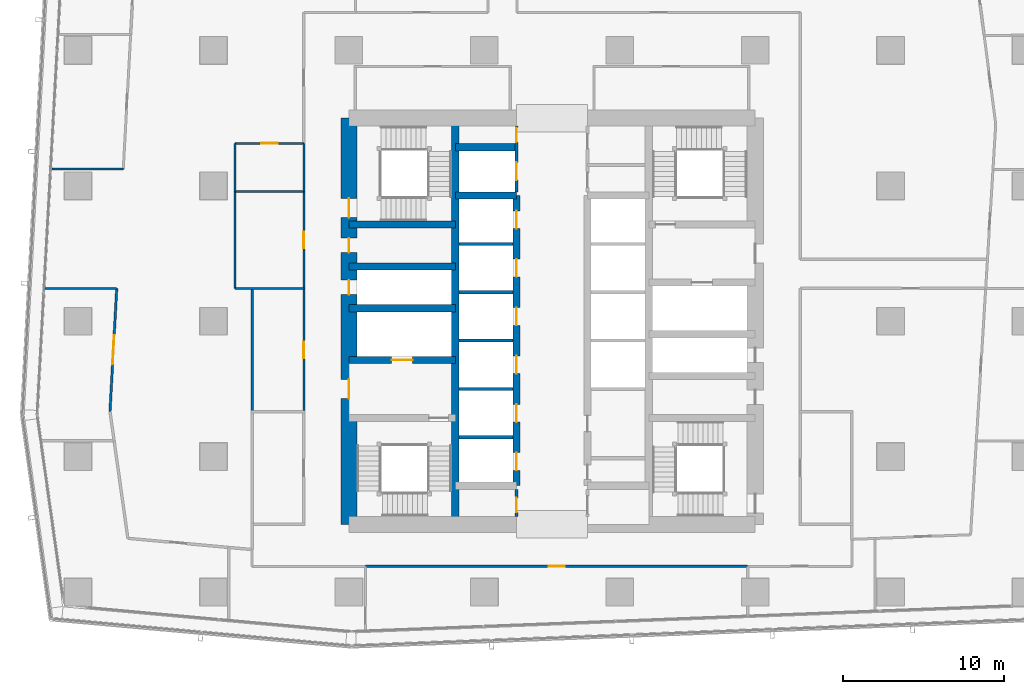
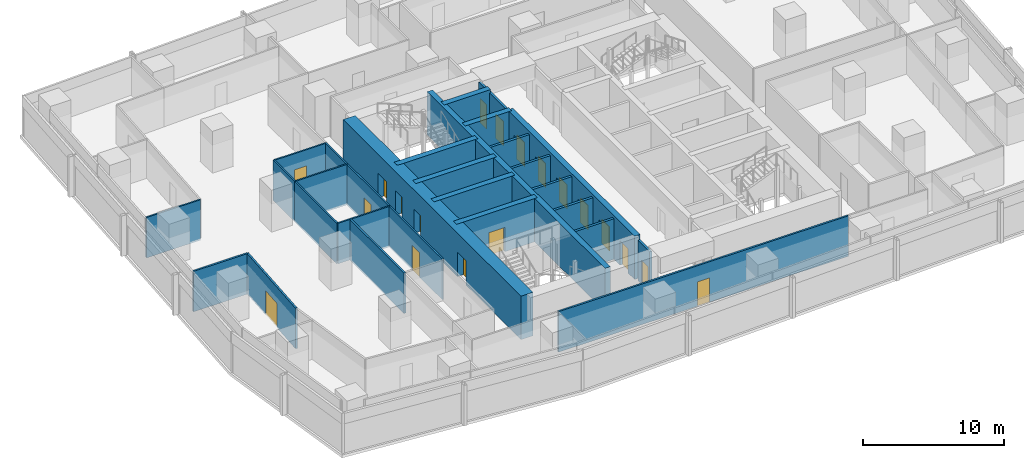
# One storey, part 29 of 40: 29 walls, 19 doors, 19 openings.
"""IFC4 building model written with IfcOpenShell, lengths in metres."""

from ifc_helpers import new_model, si_unit, direction, frame, frame_2d, origin, place, context, subcontext, project, spatial, rectangle, extrude, material, layer, layer_set, type_object, element, fill, save


model = new_model("IFC4")

# Units and contexts
model_context = context("Model", 3, precision=1e-05, world=origin(), true_north=direction((0.0, 1.0)))
body_context = subcontext(model_context, "Body", "Model", "MODEL_VIEW")
ifc_project = project(units=[si_unit("LENGTHUNIT", "METRE"), si_unit("AREAUNIT", "SQUARE_METRE"), si_unit("VOLUMEUNIT", "CUBIC_METRE"), si_unit("PLANEANGLEUNIT", "RADIAN"), si_unit("MASSUNIT", "GRAM", prefix="KILO")], contexts=[model_context])

# Site, building, storey
site_placement = place(None, origin())
site = spatial("IfcSite", under=ifc_project, at=site_placement, CompositionType="ELEMENT")
building_placement = place(site_placement, origin())
building = spatial("IfcBuilding", under=site, at=building_placement, Name="Rekha Terrace Tower", CompositionType="ELEMENT")
storey_placement = place(building_placement, frame((0.0, 0.0, 106.550048828125)))
storey = spatial("IfcBuildingStorey", under=building, at=storey_placement, Name="L26", CompositionType="ELEMENT", Elevation=106.550048828125)

# Wall
ifc_material_1 = material(Name="Concrete M70", Category="concrete")
ifc_layer_1 = layer(ifc_material_1, 0.449951171875)
ifc_layer_set_1 = layer_set([ifc_layer_1], Name="Concrete M70")
wall_type_1 = type_object("IfcWallType", Name="CI2 450 core internal shear wall", PredefinedType="SHEAR", material=ifc_layer_set_1)
wall_1_placement = place(storey_placement, frame((31.800048828125, 21.0, 0.0), z_axis=(0.0, 0.0, 1.0), x_axis=(0.0, 1.0, 0.0)))
element("IfcWall", 1, at=wall_1_placement, inside=storey, type_object=wall_type_1, Name="Core wall X318 L26", PredefinedType="SHEAR", context=body_context, shape_type="SweptSolid", body=[
    extrude(rectangle(XDim=25.199951171875, YDim=0.449951171875, at=frame_2d((12.60009765625, 0.0))), origin(), (0.0, 0.0, 1.0), 3.75),
])

# Wall, openings, doors
wall_2_placement = place(storey_placement, frame((35.60009765625, 23.39990234375, 0.0), z_axis=(0.0, 0.0, 1.0), x_axis=(0.0, 1.0, 0.0)))
wall_2 = element("IfcWall", 2, at=wall_2_placement, inside=storey, type_object=wall_type_1, Name="Core wall X356 L26", PredefinedType="SHEAR", context=body_context, shape_type="SweptSolid", body=[
    extrude(rectangle(XDim=18.0, YDim=0.449951171875, at=frame_2d((9.0, 0.0))), origin(), (0.0, 0.0, 1.0), 3.75),
])
opening_1_placement = place(wall_2_placement, frame((0.949951171875, 0.0, 0.0)))
opening_1 = element("IfcOpeningElement", 3, at=opening_1_placement, cuts=wall_2, Name="Opening LD1", PredefinedType="OPENING", context=body_context, shape_type="SweptSolid", body=[
    extrude(rectangle(XDim=1.10009765625, YDim=2.10009765625, at=frame_2d((0.550048828125, 1.050048828125))), frame((0.0, 0.23486328125, 0.0), z_axis=(0.0, -1.0, 0.0), x_axis=(1.0, 0.0, 0.0)), (0.0, 0.0, 1.0), 0.469970703125),
])
opening_2_placement = place(wall_2_placement, frame((3.949951171875, 0.0, 0.0)))
opening_2 = element("IfcOpeningElement", 4, at=opening_2_placement, cuts=wall_2, Name="Opening LD1", PredefinedType="OPENING", context=body_context, shape_type="SweptSolid", body=[
    extrude(rectangle(XDim=1.10009765625, YDim=2.10009765625, at=frame_2d((0.550048828125, 1.050048828125))), frame((0.0, 0.23486328125, 0.0), z_axis=(0.0, -1.0, 0.0), x_axis=(1.0, 0.0, 0.0)), (0.0, 0.0, 1.0), 0.469970703125),
])
opening_3_placement = place(wall_2_placement, frame((6.949951171875, 0.0, 0.0)))
opening_3 = element("IfcOpeningElement", 5, at=opening_3_placement, cuts=wall_2, Name="Opening LD1", PredefinedType="OPENING", context=body_context, shape_type="SweptSolid", body=[
    extrude(rectangle(XDim=1.10009765625, YDim=2.10009765625, at=frame_2d((0.550048828125, 1.050048828125))), frame((0.0, 0.23486328125, 0.0), z_axis=(0.0, -1.0, 0.0), x_axis=(1.0, 0.0, 0.0)), (0.0, 0.0, 1.0), 0.469970703125),
])
opening_4_placement = place(wall_2_placement, frame((9.949951171875, 0.0, 0.0)))
opening_4 = element("IfcOpeningElement", 6, at=opening_4_placement, cuts=wall_2, Name="Opening LD1", PredefinedType="OPENING", context=body_context, shape_type="SweptSolid", body=[
    extrude(rectangle(XDim=1.10009765625, YDim=2.10009765625, at=frame_2d((0.550048828125, 1.050048828125))), frame((0.0, 0.23486328125, 0.0), z_axis=(0.0, -1.0, 0.0), x_axis=(1.0, 0.0, 0.0)), (0.0, 0.0, 1.0), 0.469970703125),
])
opening_5_placement = place(wall_2_placement, frame((12.949951171875, 0.0, 0.0)))
opening_5 = element("IfcOpeningElement", 7, at=opening_5_placement, cuts=wall_2, Name="Opening LD1", PredefinedType="OPENING", context=body_context, shape_type="SweptSolid", body=[
    extrude(rectangle(XDim=1.10009765625, YDim=2.10009765625, at=frame_2d((0.550048828125, 1.050048828125))), frame((0.0, 0.23486328125, 0.0), z_axis=(0.0, -1.0, 0.0), x_axis=(1.0, 0.0, 0.0)), (0.0, 0.0, 1.0), 0.469970703125),
])
opening_6_placement = place(wall_2_placement, frame((15.949951171875, 0.0, 0.0)))
opening_6 = element("IfcOpeningElement", 8, at=opening_6_placement, cuts=wall_2, Name="Opening LD1", PredefinedType="OPENING", context=body_context, shape_type="SweptSolid", body=[
    extrude(rectangle(XDim=1.10009765625, YDim=2.10009765625, at=frame_2d((0.550048828125, 1.050048828125))), frame((0.0, 0.23486328125, 0.0), z_axis=(0.0, -1.0, 0.0), x_axis=(1.0, 0.0, 0.0)), (0.0, 0.0, 1.0), 0.469970703125),
])
ifc_material_2 = material(Name="Stainless steel sliding landing door", Category="steel")
door_type_1 = type_object("IfcDoorType", Name="LD1 1100x2100 lift landing door", OperationType="SLIDING_TO_LEFT", PredefinedType="USERDEFINED", material=ifc_material_2)
door_1_placement = place(opening_1_placement, origin())
door_1 = element("IfcDoor", 9, at=door_1_placement, inside=storey, type_object=door_type_1, Name="Lift B1 landing door L26", ObjectType="LIFT LANDING DOOR", OperationType="SLIDING_TO_LEFT", OverallHeight=2.10009765625, OverallWidth=1.10009765625, PredefinedType="USERDEFINED", context=body_context, shape_type="SweptSolid", body=[
    extrude(rectangle(XDim=1.10009765625, YDim=2.10009765625, at=frame_2d((0.550048828125, 1.050048828125))), frame((0.0, 0.02490234375, 0.0), z_axis=(0.0, -1.0, 0.0), x_axis=(1.0, 0.0, 0.0)), (0.0, 0.0, 1.0), 0.050048828125),
])
fill(opening_1, door_1)
door_2_placement = place(opening_2_placement, origin())
door_2 = element("IfcDoor", 10, at=door_2_placement, inside=storey, type_object=door_type_1, Name="Lift B2 landing door L26", ObjectType="LIFT LANDING DOOR", OperationType="SLIDING_TO_LEFT", OverallHeight=2.10009765625, OverallWidth=1.10009765625, PredefinedType="USERDEFINED", context=body_context, shape_type="SweptSolid", body=[
    extrude(rectangle(XDim=1.10009765625, YDim=2.10009765625, at=frame_2d((0.550048828125, 1.050048828125))), frame((0.0, 0.02490234375, 0.0), z_axis=(0.0, -1.0, 0.0), x_axis=(1.0, 0.0, 0.0)), (0.0, 0.0, 1.0), 0.050048828125),
])
fill(opening_2, door_2)
door_3_placement = place(opening_3_placement, origin())
door_3 = element("IfcDoor", 11, at=door_3_placement, inside=storey, type_object=door_type_1, Name="Lift B3 landing door L26", ObjectType="LIFT LANDING DOOR", OperationType="SLIDING_TO_LEFT", OverallHeight=2.10009765625, OverallWidth=1.10009765625, PredefinedType="USERDEFINED", context=body_context, shape_type="SweptSolid", body=[
    extrude(rectangle(XDim=1.10009765625, YDim=2.10009765625, at=frame_2d((0.550048828125, 1.050048828125))), frame((0.0, 0.02490234375, 0.0), z_axis=(0.0, -1.0, 0.0), x_axis=(1.0, 0.0, 0.0)), (0.0, 0.0, 1.0), 0.050048828125),
])
fill(opening_3, door_3)
door_4_placement = place(opening_4_placement, origin())
door_4 = element("IfcDoor", 12, at=door_4_placement, inside=storey, type_object=door_type_1, Name="Lift B4 landing door L26", ObjectType="LIFT LANDING DOOR", OperationType="SLIDING_TO_LEFT", OverallHeight=2.10009765625, OverallWidth=1.10009765625, PredefinedType="USERDEFINED", context=body_context, shape_type="SweptSolid", body=[
    extrude(rectangle(XDim=1.10009765625, YDim=2.10009765625, at=frame_2d((0.550048828125, 1.050048828125))), frame((0.0, 0.02490234375, 0.0), z_axis=(0.0, -1.0, 0.0), x_axis=(1.0, 0.0, 0.0)), (0.0, 0.0, 1.0), 0.050048828125),
])
fill(opening_4, door_4)
door_5_placement = place(opening_5_placement, origin())
door_5 = element("IfcDoor", 13, at=door_5_placement, inside=storey, type_object=door_type_1, Name="Lift B5 landing door L26", ObjectType="LIFT LANDING DOOR", OperationType="SLIDING_TO_LEFT", OverallHeight=2.10009765625, OverallWidth=1.10009765625, PredefinedType="USERDEFINED", context=body_context, shape_type="SweptSolid", body=[
    extrude(rectangle(XDim=1.10009765625, YDim=2.10009765625, at=frame_2d((0.550048828125, 1.050048828125))), frame((0.0, 0.02490234375, 0.0), z_axis=(0.0, -1.0, 0.0), x_axis=(1.0, 0.0, 0.0)), (0.0, 0.0, 1.0), 0.050048828125),
])
fill(opening_5, door_5)
door_6_placement = place(opening_6_placement, origin())
door_6 = element("IfcDoor", 14, at=door_6_placement, inside=storey, type_object=door_type_1, Name="Lift B6 landing door L26", ObjectType="LIFT LANDING DOOR", OperationType="SLIDING_TO_LEFT", OverallHeight=2.10009765625, OverallWidth=1.10009765625, PredefinedType="USERDEFINED", context=body_context, shape_type="SweptSolid", body=[
    extrude(rectangle(XDim=1.10009765625, YDim=2.10009765625, at=frame_2d((0.550048828125, 1.050048828125))), frame((0.0, 0.02490234375, 0.0), z_axis=(0.0, -1.0, 0.0), x_axis=(1.0, 0.0, 0.0)), (0.0, 0.0, 1.0), 0.050048828125),
])
fill(opening_6, door_6)

# Walls
for number, where, z_axis, x_axis, name in (
    (15, (31.800048828125, 41.39990234375, 0.0), (0.0, 0.0, 1.0), (1.0, 0.0, 0.0), "Core wall Y414W L26"),
    (16, (31.800048828125, 44.39990234375, 0.0), (0.0, 0.0, 1.0), (1.0, 0.0, 0.0), "Core wall Y444W L26"),
):
    element("IfcWall", number, at=place(storey_placement, frame(where, z_axis=z_axis, x_axis=x_axis)), inside=storey, type_object=wall_type_1, Name=name, PredefinedType="SHEAR", context=body_context, shape_type="SweptSolid", body=[
        extrude(rectangle(XDim=3.800048828125, YDim=0.449951171875, at=frame_2d((1.89990234375, 0.0))), origin(), (0.0, 0.0, 1.0), 3.75),
    ])

# Wall, opening, door
wall_3_placement = place(storey_placement, frame((25.199951171875, 31.199951171875, 0.0), z_axis=(0.0, 0.0, 1.0), x_axis=(1.0, 0.0, 0.0)))
wall_3 = element("IfcWall", 17, at=wall_3_placement, inside=storey, type_object=wall_type_1, Name="Core wall Y312W L26", PredefinedType="SHEAR", context=body_context, shape_type="SweptSolid", body=[
    extrude(rectangle(XDim=6.60009765625, YDim=0.449951171875, at=frame_2d((3.300048828125, 0.0))), origin(), (0.0, 0.0, 1.0), 3.75),
])
opening_7_placement = place(wall_3_placement, frame((2.64990234375, 0.0, 0.0)))
opening_7 = element("IfcOpeningElement", 18, at=opening_7_placement, cuts=wall_3, Name="Opening LD2", PredefinedType="OPENING", context=body_context, shape_type="SweptSolid", body=[
    extrude(rectangle(XDim=1.300048828125, YDim=2.10009765625, at=frame_2d((0.64990234375, 1.050048828125))), frame((0.0, 0.23486328125, 0.0), z_axis=(0.0, -1.0, 0.0), x_axis=(1.0, 0.0, 0.0)), (0.0, 0.0, 1.0), 0.469970703125),
])
door_type_2 = type_object("IfcDoorType", Name="LD2 1300x2100 fire lift landing door", OperationType="SLIDING_TO_LEFT", PredefinedType="USERDEFINED", material=ifc_material_2)
door_7_placement = place(opening_7_placement, origin())
door_7 = element("IfcDoor", 19, at=door_7_placement, inside=storey, type_object=door_type_2, Name="Lift FL1 landing door L26", ObjectType="LIFT LANDING DOOR", OperationType="SLIDING_TO_LEFT", OverallHeight=2.10009765625, OverallWidth=1.300048828125, PredefinedType="USERDEFINED", context=body_context, shape_type="SweptSolid", body=[
    extrude(rectangle(XDim=1.300048828125, YDim=2.10009765625, at=frame_2d((0.64990234375, 1.050048828125))), frame((0.0, 0.02490234375, 0.0), z_axis=(0.0, -1.0, 0.0), x_axis=(1.0, 0.0, 0.0)), (0.0, 0.0, 1.0), 0.050048828125),
])
fill(opening_7, door_7)

# Walls
for number, where, z_axis, x_axis, name in (
    (20, (25.199951171875, 34.39990234375, 0.0), (0.0, 0.0, 1.0), (1.0, 0.0, 0.0), "Core wall Y344W L26"),
    (21, (25.199951171875, 37.0, 0.0), (0.0, 0.0, 1.0), (1.0, 0.0, 0.0), "Core wall Y370W L26"),
    (22, (25.199951171875, 39.60009765625, 0.0), (0.0, 0.0, 1.0), (1.0, 0.0, 0.0), "Core wall Y396W L26"),
):
    element("IfcWall", number, at=place(storey_placement, frame(where, z_axis=z_axis, x_axis=x_axis)), inside=storey, type_object=wall_type_1, Name=name, PredefinedType="SHEAR", context=body_context, shape_type="SweptSolid", body=[
        extrude(rectangle(XDim=6.60009765625, YDim=0.449951171875, at=frame_2d((3.300048828125, 0.0))), origin(), (0.0, 0.0, 1.0), 3.75),
    ])

# Wall, openings, doors
ifc_layer_2 = layer(ifc_material_1, 1.0)
ifc_layer_set_2 = layer_set([ifc_layer_2], Name="Concrete M70")
wall_type_2 = type_object("IfcWallType", Name="SW2 1000 core outer shear wall", PredefinedType="SHEAR", material=ifc_layer_set_2)
wall_4_placement = place(storey_placement, frame((25.199951171875, 21.0, 0.0), z_axis=(0.0, 0.0, 1.0), x_axis=(0.0, 1.0, 0.0)))
wall_4 = element("IfcWall", 23, at=wall_4_placement, inside=storey, type_object=wall_type_2, Name="Core wall W L26", PredefinedType="SHEAR", context=body_context, shape_type="SweptSolid", body=[
    extrude(rectangle(XDim=25.199951171875, YDim=1.0, at=frame_2d((12.60009765625, 0.0))), origin(), (0.0, 0.0, 1.0), 3.75),
])
opening_8_placement = place(wall_4_placement, frame((7.800048828125, 0.0, 0.0)))
opening_8 = element("IfcOpeningElement", 24, at=opening_8_placement, cuts=wall_4, Name="Opening D2", PredefinedType="OPENING", context=body_context, shape_type="SweptSolid", body=[
    extrude(rectangle(XDim=1.199951171875, YDim=2.10009765625, at=frame_2d((0.60009765625, 1.050048828125))), frame((0.0, 0.510009765625, 0.0), z_axis=(0.0, -1.0, 0.0), x_axis=(1.0, 0.0, 0.0)), (0.0, 0.0, 1.0), 1.02001953125),
])
opening_9_placement = place(wall_4_placement, frame((14.25, 0.0, 0.0)))
opening_9 = element("IfcOpeningElement", 25, at=opening_9_placement, cuts=wall_4, Name="Opening D5", PredefinedType="OPENING", context=body_context, shape_type="SweptSolid", body=[
    extrude(rectangle(XDim=0.89990234375, YDim=2.10009765625, at=frame_2d((0.449951171875, 1.050048828125))), frame((0.0, 0.510009765625, 0.0), z_axis=(0.0, -1.0, 0.0), x_axis=(1.0, 0.0, 0.0)), (0.0, 0.0, 1.0), 1.02001953125),
])
opening_10_placement = place(wall_4_placement, frame((16.85009765625, 0.0, 0.0)))
opening_10 = element("IfcOpeningElement", 26, at=opening_10_placement, cuts=wall_4, Name="Opening D5", PredefinedType="OPENING", context=body_context, shape_type="SweptSolid", body=[
    extrude(rectangle(XDim=0.89990234375, YDim=2.10009765625, at=frame_2d((0.449951171875, 1.050048828125))), frame((0.0, 0.510009765625, 0.0), z_axis=(0.0, -1.0, 0.0), x_axis=(1.0, 0.0, 0.0)), (0.0, 0.0, 1.0), 1.02001953125),
])
opening_11_placement = place(wall_4_placement, frame((19.02490234375, 0.0, 0.0)))
opening_11 = element("IfcOpeningElement", 27, at=opening_11_placement, cuts=wall_4, Name="Opening D1", PredefinedType="OPENING", context=body_context, shape_type="SweptSolid", body=[
    extrude(rectangle(XDim=1.199951171875, YDim=2.10009765625, at=frame_2d((0.60009765625, 1.050048828125))), frame((0.0, 0.510009765625, 0.0), z_axis=(0.0, -1.0, 0.0), x_axis=(1.0, 0.0, 0.0)), (0.0, 0.0, 1.0), 1.02001953125),
])
ifc_material_3 = material(Name="Steel fire door", Category="steel")
door_type_3 = type_object("IfcDoorType", Name="D1 1200x2100 stair fire door", OperationType="SINGLE_SWING_RIGHT", PredefinedType="DOOR", material=ifc_material_3)
door_8_placement = place(opening_11_placement, origin())
door_8 = element("IfcDoor", 28, at=door_8_placement, inside=storey, type_object=door_type_3, Name="Stair ST4 door L26", OperationType="SINGLE_SWING_RIGHT", OverallHeight=2.10009765625, OverallWidth=1.199951171875, PredefinedType="DOOR", context=body_context, shape_type="SweptSolid", body=[
    extrude(rectangle(XDim=1.199951171875, YDim=2.10009765625, at=frame_2d((0.60009765625, 1.050048828125))), frame((0.0, 0.02490234375, 0.0), z_axis=(0.0, -1.0, 0.0), x_axis=(1.0, 0.0, 0.0)), (0.0, 0.0, 1.0), 0.050048828125),
])
fill(opening_11, door_8)
door_type_4 = type_object("IfcDoorType", Name="D2 1200x2100 firefighting lobby door", OperationType="SINGLE_SWING_LEFT", PredefinedType="DOOR", material=ifc_material_3)
door_9_placement = place(opening_8_placement, origin())
door_9 = element("IfcDoor", 29, at=door_9_placement, inside=storey, type_object=door_type_4, Name="Door flb1 L26", OperationType="SINGLE_SWING_LEFT", OverallHeight=2.10009765625, OverallWidth=1.199951171875, PredefinedType="DOOR", context=body_context, shape_type="SweptSolid", body=[
    extrude(rectangle(XDim=1.199951171875, YDim=2.10009765625, at=frame_2d((0.60009765625, 1.050048828125))), frame((0.0, 0.02490234375, 0.0), z_axis=(0.0, -1.0, 0.0), x_axis=(1.0, 0.0, 0.0)), (0.0, 0.0, 1.0), 0.050048828125),
])
fill(opening_8, door_9)
door_type_5 = type_object("IfcDoorType", Name="D5 900x2100 riser access door", OperationType="SINGLE_SWING_LEFT", PredefinedType="DOOR", material=ifc_material_3)
door_10_placement = place(opening_9_placement, origin())
door_10 = element("IfcDoor", 30, at=door_10_placement, inside=storey, type_object=door_type_5, Name="Door rs1 L26", OperationType="SINGLE_SWING_LEFT", OverallHeight=2.10009765625, OverallWidth=0.89990234375, PredefinedType="DOOR", context=body_context, shape_type="SweptSolid", body=[
    extrude(rectangle(XDim=0.89990234375, YDim=2.10009765625, at=frame_2d((0.449951171875, 1.050048828125))), frame((0.0, 0.02490234375, 0.0), z_axis=(0.0, -1.0, 0.0), x_axis=(1.0, 0.0, 0.0)), (0.0, 0.0, 1.0), 0.050048828125),
])
fill(opening_9, door_10)
door_11_placement = place(opening_10_placement, origin())
door_11 = element("IfcDoor", 31, at=door_11_placement, inside=storey, type_object=door_type_5, Name="Door elw L26", OperationType="SINGLE_SWING_LEFT", OverallHeight=2.10009765625, OverallWidth=0.89990234375, PredefinedType="DOOR", context=body_context, shape_type="SweptSolid", body=[
    extrude(rectangle(XDim=0.89990234375, YDim=2.10009765625, at=frame_2d((0.449951171875, 1.050048828125))), frame((0.0, 0.02490234375, 0.0), z_axis=(0.0, -1.0, 0.0), x_axis=(1.0, 0.0, 0.0)), (0.0, 0.0, 1.0), 0.050048828125),
])
fill(opening_10, door_11)

# Wall
ifc_material_4 = material(Name="Concrete block masonry, 1 hour", Category="masonry")
ifc_layer_3 = layer(ifc_material_4, 0.14990234375)
ifc_layer_set_3 = layer_set([ifc_layer_3], Name="Concrete block masonry, 1 hour")
wall_type_3 = type_object("IfcWallType", Name="WP2 150 tenancy partition", PredefinedType="PARTITIONING", material=ifc_layer_set_3)
wall_5_placement = place(storey_placement, frame((19.199951171875, 35.574951171875, 0.0), z_axis=(0.0, 0.0, 1.0), x_axis=(0.0, -1.0, 0.0)))
element("IfcWall", 32, at=wall_5_placement, inside=storey, type_object=wall_type_3, Name="Partition L26-O2", PredefinedType="PARTITIONING", context=body_context, shape_type="SweptSolid", body=[
    extrude(rectangle(XDim=7.64990234375, YDim=0.14990234375, at=frame_2d((3.824951171875, 0.0))), origin(), (0.0, 0.0, 1.0), 3.5),
])

# Wall, opening, door
wall_6_placement = place(storey_placement, frame((10.381103515625, 28.006103515625, 0.0), z_axis=(0.0, 0.0, 1.0), x_axis=(0.054839895522, 0.998495160659, 0.0)))
wall_6 = element("IfcWall", 33, at=wall_6_placement, inside=storey, type_object=wall_type_3, Name="Partition L26-O2", PredefinedType="PARTITIONING", context=body_context, shape_type="SweptSolid", body=[
    extrude(rectangle(XDim=7.639404296875, YDim=0.14990234375, at=frame_2d((3.81982421875, 0.0))), origin(), (0.0, 0.0, 1.0), 3.5),
])
opening_12_placement = place(wall_6_placement, frame((2.919921875, 0.0, 0.0)))
opening_12 = element("IfcOpeningElement", 34, at=opening_12_placement, cuts=wall_6, Name="Opening D8", PredefinedType="OPENING", context=body_context, shape_type="SweptSolid", body=[
    extrude(rectangle(XDim=1.800048828125, YDim=2.10009765625, at=frame_2d((0.89990234375, 1.050048828125))), frame((0.0, 0.0849609375, 0.0), z_axis=(0.0, -1.0, 0.0), x_axis=(1.0, 0.0, 0.0)), (0.0, 0.0, 1.0), 0.169921875),
])
ifc_material_5 = material(Name="Timber fire door", Category="wood")
door_type_6 = type_object("IfcDoorType", Name="D8 1800x2100 double leaf door", OperationType="DOUBLE_DOOR_SINGLE_SWING", PredefinedType="DOOR", material=ifc_material_5)
door_12_placement = place(opening_12_placement, origin())
door_12 = element("IfcDoor", 35, at=door_12_placement, inside=storey, type_object=door_type_6, Name="Door meeting room L26", OperationType="DOUBLE_DOOR_SINGLE_SWING", OverallHeight=2.10009765625, OverallWidth=1.800048828125, PredefinedType="DOOR", context=body_context, shape_type="SweptSolid", body=[
    extrude(rectangle(XDim=1.800048828125, YDim=2.10009765625, at=frame_2d((0.89990234375, 1.050048828125))), frame((0.0, 0.02490234375, 0.0), z_axis=(0.0, -1.0, 0.0), x_axis=(1.0, 0.0, 0.0)), (0.0, 0.0, 1.0), 0.050048828125),
])
fill(opening_12, door_12)

# Wall
wall_7_placement = place(storey_placement, frame((10.800048828125, 35.634033203125, 0.0), z_axis=(0.0, 0.0, 1.0), x_axis=(-1.0, 0.0, 0.0)))
element("IfcWall", 36, at=wall_7_placement, inside=storey, type_object=wall_type_3, Name="Partition L26-O2", PredefinedType="PARTITIONING", context=body_context, shape_type="SweptSolid", body=[
    extrude(rectangle(XDim=4.45703125, YDim=0.14990234375, at=frame_2d((2.228515625, 0.0))), origin(), (0.0, 0.0, 1.0), 3.5),
])

# Wall, opening, door
wall_8_placement = place(storey_placement, frame((26.23388671875, 18.39990234375, 0.0), z_axis=(0.0, 0.0, 1.0), x_axis=(1.0, 0.0, 0.0)))
wall_8 = element("IfcWall", 37, at=wall_8_placement, inside=storey, type_object=wall_type_3, Name="Partition L26-O3", PredefinedType="PARTITIONING", context=body_context, shape_type="SweptSolid", body=[
    extrude(rectangle(XDim=23.7021484375, YDim=0.14990234375, at=frame_2d((11.85107421875, 0.0))), origin(), (0.0, 0.0, 1.0), 3.5),
])
opening_13_placement = place(wall_8_placement, frame((11.35107421875, 0.0, 0.0)))
opening_13 = element("IfcOpeningElement", 38, at=opening_13_placement, cuts=wall_8, Name="Opening D9", PredefinedType="OPENING", context=body_context, shape_type="SweptSolid", body=[
    extrude(rectangle(XDim=1.0, YDim=2.10009765625, at=frame_2d((0.5, 1.050048828125))), frame((0.0, 0.0849609375, 0.0), z_axis=(0.0, -1.0, 0.0), x_axis=(1.0, 0.0, 0.0)), (0.0, 0.0, 1.0), 0.169921875),
])
door_type_7 = type_object("IfcDoorType", Name="D9 1000x2100 office door", OperationType="SINGLE_SWING_LEFT", PredefinedType="DOOR", material=ifc_material_5)
door_13_placement = place(opening_13_placement, origin())
door_13 = element("IfcDoor", 39, at=door_13_placement, inside=storey, type_object=door_type_7, Name="Door open-plan office L26", OperationType="SINGLE_SWING_LEFT", OverallHeight=2.10009765625, OverallWidth=1.0, PredefinedType="DOOR", context=body_context, shape_type="SweptSolid", body=[
    extrude(rectangle(XDim=1.0, YDim=2.10009765625, at=frame_2d((0.5, 1.050048828125))), frame((0.0, 0.02490234375, 0.0), z_axis=(0.0, -1.0, 0.0), x_axis=(1.0, 0.0, 0.0)), (0.0, 0.0, 1.0), 0.050048828125),
])
fill(opening_13, door_13)

# Walls
ifc_material_6 = material(Name="Two layers of fire-rated gypsum board each side on steel studs, acoustic quilt, 1 hour", Category="steel")
ifc_layer_4 = layer(ifc_material_6, 0.125)
ifc_layer_set_4 = layer_set([ifc_layer_4], Name="Two layers of fire-rated gypsum board each side on steel studs, acoustic quilt, 1 hour")
wall_type_4 = type_object("IfcWallType", Name="WP3 125 office partition", PredefinedType="PARTITIONING", material=ifc_layer_set_4)
wall_9_placement = place(storey_placement, frame((11.2060546875, 43.0458984375, 0.0), z_axis=(0.0, 0.0, 1.0), x_axis=(-1.0, 0.0, 0.0)))
element("IfcWall", 40, at=wall_9_placement, inside=storey, type_object=wall_type_4, Name="Partition L26-15", PredefinedType="PARTITIONING", context=body_context, shape_type="SweptSolid", body=[
    extrude(rectangle(XDim=4.427001953125, YDim=0.125, at=frame_2d((2.21337890625, 0.0))), origin(), (0.0, 0.0, 1.0), 3.5),
])
wall_10_placement = place(storey_placement, frame((18.14990234375, 35.637939453125, 0.0), z_axis=(0.0, 0.0, 1.0), x_axis=(0.0, 1.0, 0.0)))
element("IfcWall", 41, at=wall_10_placement, inside=storey, type_object=wall_type_4, Name="Partition L26-16", PredefinedType="PARTITIONING", context=body_context, shape_type="SweptSolid", body=[
    extrude(rectangle(XDim=5.9990234375, YDim=0.125, at=frame_2d((2.99951171875, 0.0))), origin(), (0.0, 0.0, 1.0), 3.5),
])
wall_11_placement = place(storey_placement, frame((18.14990234375, 41.636962890625, 0.0), z_axis=(0.0, 0.0, 1.0), x_axis=(1.0, 0.0, 0.0)))
element("IfcWall", 42, at=wall_11_placement, inside=storey, type_object=wall_type_4, Name="Partition L26-16", PredefinedType="PARTITIONING", context=body_context, shape_type="SweptSolid", body=[
    extrude(rectangle(XDim=4.25, YDim=0.125, at=frame_2d((2.125, 0.0))), origin(), (0.0, 0.0, 1.0), 3.5),
])

# Wall, opening, door
wall_12_placement = place(storey_placement, frame((22.39990234375, 41.636962890625, 0.0), z_axis=(0.0, 0.0, 1.0), x_axis=(0.0, -1.0, 0.0)))
wall_12 = element("IfcWall", 43, at=wall_12_placement, inside=storey, type_object=wall_type_4, Name="Partition L26-16", PredefinedType="PARTITIONING", context=body_context, shape_type="SweptSolid", body=[
    extrude(rectangle(XDim=5.9990234375, YDim=0.125, at=frame_2d((2.99951171875, 0.0))), origin(), (0.0, 0.0, 1.0), 3.5),
])
opening_14_placement = place(wall_12_placement, frame((2.4990234375, 0.0, 0.0)))
opening_14 = element("IfcOpeningElement", 44, at=opening_14_placement, cuts=wall_12, Name="Opening D9", PredefinedType="OPENING", context=body_context, shape_type="SweptSolid", body=[
    extrude(rectangle(XDim=1.0, YDim=2.10009765625, at=frame_2d((0.5, 1.050048828125))), frame((0.0, 0.072509765625, 0.0), z_axis=(0.0, -1.0, 0.0), x_axis=(1.0, 0.0, 0.0)), (0.0, 0.0, 1.0), 0.14501953125),
])
door_14_placement = place(opening_14_placement, origin())
door_14 = element("IfcDoor", 45, at=door_14_placement, inside=storey, type_object=door_type_7, Name="Door reception L26", OperationType="SINGLE_SWING_LEFT", OverallHeight=2.10009765625, OverallWidth=1.0, PredefinedType="DOOR", context=body_context, shape_type="SweptSolid", body=[
    extrude(rectangle(XDim=1.0, YDim=2.10009765625, at=frame_2d((0.5, 1.050048828125))), frame((0.0, 0.02490234375, 0.0), z_axis=(0.0, -1.0, 0.0), x_axis=(1.0, 0.0, 0.0)), (0.0, 0.0, 1.0), 0.050048828125),
])
fill(opening_14, door_14)

# Walls
wall_13_placement = place(storey_placement, frame((22.39990234375, 35.637939453125, 0.0), z_axis=(0.0, 0.0, 1.0), x_axis=(-1.0, 0.0, 0.0)))
element("IfcWall", 46, at=wall_13_placement, inside=storey, type_object=wall_type_4, Name="Partition L26-16", PredefinedType="PARTITIONING", context=body_context, shape_type="SweptSolid", body=[
    extrude(rectangle(XDim=4.25, YDim=0.125, at=frame_2d((2.125, 0.0))), origin(), (0.0, 0.0, 1.0), 3.5),
])
wall_14_placement = place(storey_placement, frame((18.14990234375, 41.636962890625, 0.0), z_axis=(0.0, 0.0, 1.0), x_axis=(0.0, 1.0, 0.0)))
element("IfcWall", 47, at=wall_14_placement, inside=storey, type_object=wall_type_4, Name="Partition L26-17", PredefinedType="PARTITIONING", context=body_context, shape_type="SweptSolid", body=[
    extrude(rectangle(XDim=3.0, YDim=0.125, at=frame_2d((1.5, 0.0))), origin(), (0.0, 0.0, 1.0), 3.5),
])

# Wall, opening, door
wall_15_placement = place(storey_placement, frame((18.14990234375, 44.636962890625, 0.0), z_axis=(0.0, 0.0, 1.0), x_axis=(1.0, 0.0, 0.0)))
wall_15 = element("IfcWall", 48, at=wall_15_placement, inside=storey, type_object=wall_type_4, Name="Partition L26-17", PredefinedType="PARTITIONING", context=body_context, shape_type="SweptSolid", body=[
    extrude(rectangle(XDim=4.25, YDim=0.125, at=frame_2d((2.125, 0.0))), origin(), (0.0, 0.0, 1.0), 3.5),
])
opening_15_placement = place(wall_15_placement, frame((1.625, 0.0, 0.0)))
opening_15 = element("IfcOpeningElement", 49, at=opening_15_placement, cuts=wall_15, Name="Opening D9", PredefinedType="OPENING", context=body_context, shape_type="SweptSolid", body=[
    extrude(rectangle(XDim=1.0, YDim=2.10009765625, at=frame_2d((0.5, 1.050048828125))), frame((0.0, 0.072509765625, 0.0), z_axis=(0.0, -1.0, 0.0), x_axis=(1.0, 0.0, 0.0)), (0.0, 0.0, 1.0), 0.14501953125),
])
door_15_placement = place(opening_15_placement, origin())
door_15 = element("IfcDoor", 50, at=door_15_placement, inside=storey, type_object=door_type_7, Name="Door print room L26", OperationType="SINGLE_SWING_LEFT", OverallHeight=2.10009765625, OverallWidth=1.0, PredefinedType="DOOR", context=body_context, shape_type="SweptSolid", body=[
    extrude(rectangle(XDim=1.0, YDim=2.10009765625, at=frame_2d((0.5, 1.050048828125))), frame((0.0, 0.02490234375, 0.0), z_axis=(0.0, -1.0, 0.0), x_axis=(1.0, 0.0, 0.0)), (0.0, 0.0, 1.0), 0.050048828125),
])
fill(opening_15, door_15)

# Wall
wall_16_placement = place(storey_placement, frame((22.39990234375, 44.636962890625, 0.0), z_axis=(0.0, 0.0, 1.0), x_axis=(0.0, -1.0, 0.0)))
element("IfcWall", 51, at=wall_16_placement, inside=storey, type_object=wall_type_4, Name="Partition L26-17", PredefinedType="PARTITIONING", context=body_context, shape_type="SweptSolid", body=[
    extrude(rectangle(XDim=3.0, YDim=0.125, at=frame_2d((1.5, 0.0))), origin(), (0.0, 0.0, 1.0), 3.5),
])

# Wall, opening, door
wall_17_placement = place(storey_placement, frame((22.39990234375, 35.636962890625, 0.0), z_axis=(0.0, 0.0, 1.0), x_axis=(0.0, -1.0, 0.0)))
wall_17 = element("IfcWall", 52, at=wall_17_placement, inside=storey, type_object=wall_type_4, Name="Partition L26-21", PredefinedType="PARTITIONING", context=body_context, shape_type="SweptSolid", body=[
    extrude(rectangle(XDim=7.56201171875, YDim=0.125, at=frame_2d((3.781005859375, 0.0))), origin(), (0.0, 0.0, 1.0), 3.5),
])
opening_16_placement = place(wall_17_placement, frame((3.319091796875, 0.0, 0.0)))
opening_16 = element("IfcOpeningElement", 53, at=opening_16_placement, cuts=wall_17, Name="Opening D9", PredefinedType="OPENING", context=body_context, shape_type="SweptSolid", body=[
    extrude(rectangle(XDim=1.0, YDim=2.10009765625, at=frame_2d((0.5, 1.050048828125))), frame((0.0, 0.072509765625, 0.0), z_axis=(0.0, -1.0, 0.0), x_axis=(1.0, 0.0, 0.0)), (0.0, 0.0, 1.0), 0.14501953125),
])
door_16_placement = place(opening_16_placement, origin())
door_16 = element("IfcDoor", 54, at=door_16_placement, inside=storey, type_object=door_type_7, Name="Door reception L26", OperationType="SINGLE_SWING_LEFT", OverallHeight=2.10009765625, OverallWidth=1.0, PredefinedType="DOOR", context=body_context, shape_type="SweptSolid", body=[
    extrude(rectangle(XDim=1.0, YDim=2.10009765625, at=frame_2d((0.5, 1.050048828125))), frame((0.0, 0.02490234375, 0.0), z_axis=(0.0, -1.0, 0.0), x_axis=(1.0, 0.0, 0.0)), (0.0, 0.0, 1.0), 0.050048828125),
])
fill(opening_16, door_16)

# Walls
ifc_material_7 = material(Name="Solid concrete block masonry, 2 hour", Category="masonry")
ifc_layer_5 = layer(ifc_material_7, 0.199951171875)
ifc_layer_set_5 = layer_set([ifc_layer_5], Name="Solid concrete block masonry, 2 hour")
wall_type_5 = type_object("IfcWallType", Name="WS1 200 stair and shaft enclosure", PredefinedType="PARTITIONING", material=ifc_layer_set_5)
for number, where, z_axis, x_axis, name in (
    (55, (32.02490234375, 26.39990234375, 0.0), (0.0, 0.0, 1.0), (1.0, 0.0, 0.0), "Lift shaft divider L26"),
    (56, (32.02490234375, 29.39990234375, 0.0), (0.0, 0.0, 1.0), (1.0, 0.0, 0.0), "Lift shaft divider L26"),
    (57, (32.02490234375, 32.39990234375, 0.0), (0.0, 0.0, 1.0), (1.0, 0.0, 0.0), "Lift shaft divider L26"),
    (58, (32.02490234375, 35.39990234375, 0.0), (0.0, 0.0, 1.0), (1.0, 0.0, 0.0), "Lift shaft divider L26"),
    (59, (32.02490234375, 38.39990234375, 0.0), (0.0, 0.0, 1.0), (1.0, 0.0, 0.0), "Lift shaft divider L26"),
):
    element("IfcWall", number, at=place(storey_placement, frame(where, z_axis=z_axis, x_axis=x_axis)), inside=storey, type_object=wall_type_5, Name=name, PredefinedType="PARTITIONING", context=body_context, shape_type="SweptSolid", body=[
        extrude(rectangle(XDim=3.35009765625, YDim=0.199951171875, at=frame_2d((1.675048828125, 0.0))), origin(), (0.0, 0.0, 1.0), 3.5),
    ])

# Wall, openings, doors
wall_18_placement = place(storey_placement, frame((35.60009765625, 41.625, 0.0), z_axis=(0.0, 0.0, 1.0), x_axis=(0.0, 1.0, 0.0)))
wall_18 = element("IfcWall", 60, at=wall_18_placement, inside=storey, type_object=wall_type_5, Name="Core partition jansv L26", PredefinedType="PARTITIONING", context=body_context, shape_type="SweptSolid", body=[
    extrude(rectangle(XDim=4.074951171875, YDim=0.199951171875, at=frame_2d((2.03759765625, 0.0))), origin(), (0.0, 0.0, 1.0), 3.5),
])
opening_17_placement = place(wall_18_placement, frame((3.087890625, 0.0, 0.0)))
opening_17 = element("IfcOpeningElement", 61, at=opening_17_placement, cuts=wall_18, Name="Opening D5", PredefinedType="OPENING", context=body_context, shape_type="SweptSolid", body=[
    extrude(rectangle(XDim=0.89990234375, YDim=2.10009765625, at=frame_2d((0.449951171875, 1.050048828125))), frame((0.0, 0.10986328125, 0.0), z_axis=(0.0, -1.0, 0.0), x_axis=(1.0, 0.0, 0.0)), (0.0, 0.0, 1.0), 0.219970703125),
])
opening_18_placement = place(wall_18_placement, frame((0.72509765625, 0.0, 0.0)))
opening_18 = element("IfcOpeningElement", 62, at=opening_18_placement, cuts=wall_18, Name="Opening LD1", PredefinedType="OPENING", context=body_context, shape_type="SweptSolid", body=[
    extrude(rectangle(XDim=1.10009765625, YDim=2.10009765625, at=frame_2d((0.550048828125, 1.050048828125))), frame((0.0, 0.10986328125, 0.0), z_axis=(0.0, -1.0, 0.0), x_axis=(1.0, 0.0, 0.0)), (0.0, 0.0, 1.0), 0.219970703125),
])
door_17_placement = place(opening_17_placement, origin())
door_17 = element("IfcDoor", 63, at=door_17_placement, inside=storey, type_object=door_type_5, Name="Door janitor room L26", OperationType="SINGLE_SWING_LEFT", OverallHeight=2.10009765625, OverallWidth=0.89990234375, PredefinedType="DOOR", context=body_context, shape_type="SweptSolid", body=[
    extrude(rectangle(XDim=0.89990234375, YDim=2.10009765625, at=frame_2d((0.449951171875, 1.050048828125))), frame((0.0, 0.02490234375, 0.0), z_axis=(0.0, -1.0, 0.0), x_axis=(1.0, 0.0, 0.0)), (0.0, 0.0, 1.0), 0.050048828125),
])
fill(opening_17, door_17)
door_18_placement = place(opening_18_placement, origin())
door_18 = element("IfcDoor", 64, at=door_18_placement, inside=storey, type_object=door_type_1, Name="Lift SV1 landing door L26", ObjectType="LIFT LANDING DOOR", OperationType="SLIDING_TO_LEFT", OverallHeight=2.10009765625, OverallWidth=1.10009765625, PredefinedType="USERDEFINED", context=body_context, shape_type="SweptSolid", body=[
    extrude(rectangle(XDim=1.10009765625, YDim=2.10009765625, at=frame_2d((0.550048828125, 1.050048828125))), frame((0.0, 0.02490234375, 0.0), z_axis=(0.0, -1.0, 0.0), x_axis=(1.0, 0.0, 0.0)), (0.0, 0.0, 1.0), 0.050048828125),
])
fill(opening_18, door_18)

# Wall, opening, door
wall_19_placement = place(storey_placement, frame((35.60009765625, 21.5, 0.0), z_axis=(0.0, 0.0, 1.0), x_axis=(0.0, 1.0, 0.0)))
wall_19 = element("IfcWall", 65, at=wall_19_placement, inside=storey, type_object=wall_type_5, Name="Core partition west L26", PredefinedType="PARTITIONING", context=body_context, shape_type="SweptSolid", body=[
    extrude(rectangle(XDim=1.675048828125, YDim=0.199951171875, at=frame_2d((0.83740234375, 0.0))), origin(), (0.0, 0.0, 1.0), 3.5),
])
opening_19_placement = place(wall_19_placement, frame((0.25, 0.0, 0.0)))
opening_19 = element("IfcOpeningElement", 66, at=opening_19_placement, cuts=wall_19, Name="Opening D5", PredefinedType="OPENING", context=body_context, shape_type="SweptSolid", body=[
    extrude(rectangle(XDim=0.89990234375, YDim=2.10009765625, at=frame_2d((0.449951171875, 1.050048828125))), frame((0.0, 0.10986328125, 0.0), z_axis=(0.0, -1.0, 0.0), x_axis=(1.0, 0.0, 0.0)), (0.0, 0.0, 1.0), 0.219970703125),
])
door_19_placement = place(opening_19_placement, origin())
door_19 = element("IfcDoor", 67, at=door_19_placement, inside=storey, type_object=door_type_5, Name="Door cleaner's store L26", OperationType="SINGLE_SWING_LEFT", OverallHeight=2.10009765625, OverallWidth=0.89990234375, PredefinedType="DOOR", context=body_context, shape_type="SweptSolid", body=[
    extrude(rectangle(XDim=0.89990234375, YDim=2.10009765625, at=frame_2d((0.449951171875, 1.050048828125))), frame((0.0, 0.02490234375, 0.0), z_axis=(0.0, -1.0, 0.0), x_axis=(1.0, 0.0, 0.0)), (0.0, 0.0, 1.0), 0.050048828125),
])
fill(opening_19, door_19)

save(model, "model.ifc")
